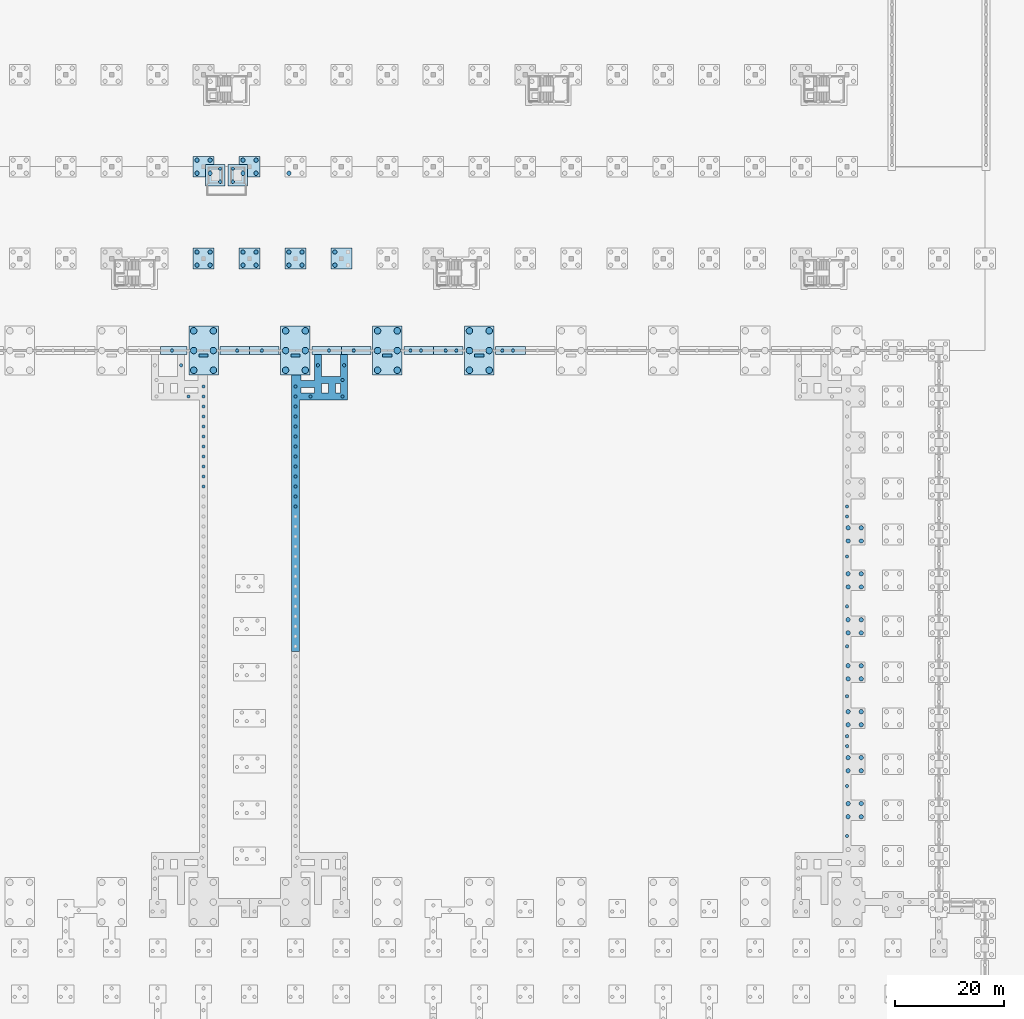
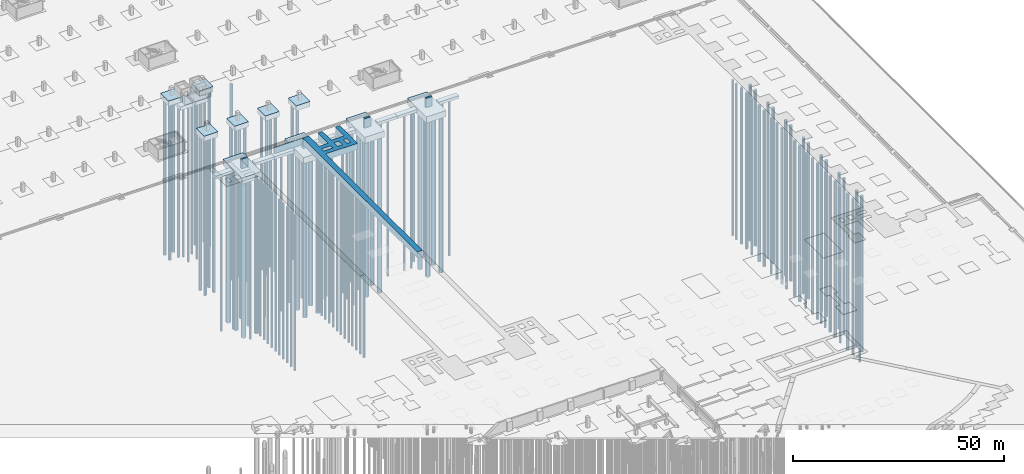
# One storey, part 16 of 67: 131 piles, 25 footings.
"""IFC4 building model written with IfcOpenShell, lengths in metres."""

from ifc_helpers import new_model, si_unit, direction, frame, origin, origin_2d, place, context, subcontext, project, spatial, polyline, circle, outline, extrude, material, material_profile, profile_set, type_object, element, save


model = new_model("IFC4")

# Units and contexts
model_context = context("Model", 3, precision=1e-05, world=origin(), true_north=direction((0.0, 1.0)))
body_context = subcontext(model_context, "Body", "Model", "MODEL_VIEW")
ifc_project = project(units=[si_unit("LENGTHUNIT", "METRE"), si_unit("AREAUNIT", "SQUARE_METRE"), si_unit("VOLUMEUNIT", "CUBIC_METRE"), si_unit("PLANEANGLEUNIT", "RADIAN"), si_unit("MASSUNIT", "GRAM", prefix="KILO")], contexts=[model_context])

# Site, building, storey
site_placement = place(None, origin())
site = spatial("IfcSite", under=ifc_project, at=site_placement, CompositionType="ELEMENT")
building_placement = place(site_placement, origin())
building = spatial("IfcBuilding", under=site, at=building_placement, Name="Rain Tree Exposition and Congress Centre", CompositionType="ELEMENT")
storey_placement = place(building_placement, frame((0.0, 0.0, -3.0)))
storey = spatial("IfcBuildingStorey", under=building, at=storey_placement, Name="B1", CompositionType="ELEMENT", Elevation=-3.0)

# Piles
ifc_material_1 = material(Name="Concrete C35/45", Category="concrete")
ifc_material_profile_1 = material_profile(ifc_material_1, circle(Radius=0.60009765625, at=origin_2d()), Name="D1200")
ifc_profile_set_1 = profile_set([ifc_material_profile_1], Name="Concrete C35/45")
pile_type_1 = type_object("IfcPileType", Name="Bored pile D1200", PredefinedType="BORED", material=ifc_profile_set_1)
for number, where, z_axis, x_axis, name in (
    (1, (124.199951171875, 198.0, -1.72509765625), (0.0, 0.0, -1.0), (1.0, 0.0, 0.0), "Bored pile 0801"),
    (2, (127.800048828125, 198.0, -1.72509765625), (0.0, 0.0, -1.0), (1.0, 0.0, 0.0), "Bored pile 0802"),
    (3, (124.199951171875, 201.60009765625, -1.72509765625), (0.0, 0.0, -1.0), (1.0, 0.0, 0.0), "Bored pile 0803"),
    (4, (127.800048828125, 201.60009765625, -1.72509765625), (0.0, 0.0, -1.0), (1.0, 0.0, 0.0), "Bored pile 0804"),
    (5, (124.199951171875, 205.199951171875, -1.72509765625), (0.0, 0.0, -1.0), (1.0, 0.0, 0.0), "Bored pile 0805"),
    (6, (127.800048828125, 205.199951171875, -1.72509765625), (0.0, 0.0, -1.0), (1.0, 0.0, 0.0), "Bored pile 0806"),
    (7, (157.800048828125, 198.0, -1.72509765625), (0.0, 0.0, -1.0), (1.0, 0.0, 0.0), "Bored pile 1013"),
    (8, (161.39990234375, 198.0, -1.72509765625), (0.0, 0.0, -1.0), (1.0, 0.0, 0.0), "Bored pile 1014"),
    (9, (157.800048828125, 201.60009765625, -1.72509765625), (0.0, 0.0, -1.0), (1.0, 0.0, 0.0), "Bored pile 1015"),
    (10, (161.39990234375, 201.60009765625, -1.72509765625), (0.0, 0.0, -1.0), (1.0, 0.0, 0.0), "Bored pile 1016"),
    (11, (157.800048828125, 205.199951171875, -1.72509765625), (0.0, 0.0, -1.0), (1.0, 0.0, 0.0), "Bored pile 1017"),
    (12, (161.39990234375, 205.199951171875, -1.72509765625), (0.0, 0.0, -1.0), (1.0, 0.0, 0.0), "Bored pile 1018"),
    (13, (141.0, 198.0, -1.72509765625), (0.0, 0.0, -1.0), (1.0, 0.0, 0.0), "Bored pile 1019"),
    (14, (144.60009765625, 198.0, -1.72509765625), (0.0, 0.0, -1.0), (1.0, 0.0, 0.0), "Bored pile 1020"),
    (15, (141.0, 201.60009765625, -1.72509765625), (0.0, 0.0, -1.0), (1.0, 0.0, 0.0), "Bored pile 1021"),
    (16, (144.60009765625, 201.60009765625, -1.72509765625), (0.0, 0.0, -1.0), (1.0, 0.0, 0.0), "Bored pile 1022"),
    (17, (141.0, 205.199951171875, -1.72509765625), (0.0, 0.0, -1.0), (1.0, 0.0, 0.0), "Bored pile 1023"),
    (18, (144.60009765625, 205.199951171875, -1.72509765625), (0.0, 0.0, -1.0), (1.0, 0.0, 0.0), "Bored pile 1024"),
    (19, (174.60009765625, 198.0, -1.72509765625), (0.0, 0.0, -1.0), (1.0, 0.0, 0.0), "Bored pile 1142"),
    (20, (178.199951171875, 198.0, -1.72509765625), (0.0, 0.0, -1.0), (1.0, 0.0, 0.0), "Bored pile 1143"),
    (21, (174.60009765625, 201.60009765625, -1.72509765625), (0.0, 0.0, -1.0), (1.0, 0.0, 0.0), "Bored pile 1144"),
    (22, (178.199951171875, 201.60009765625, -1.72509765625), (0.0, 0.0, -1.0), (1.0, 0.0, 0.0), "Bored pile 1145"),
    (23, (174.60009765625, 205.199951171875, -1.72509765625), (0.0, 0.0, -1.0), (1.0, 0.0, 0.0), "Bored pile 1146"),
    (24, (178.199951171875, 205.199951171875, -1.72509765625), (0.0, 0.0, -1.0), (1.0, 0.0, 0.0), "Bored pile 1147"),
):
    element("IfcPile", number, at=place(storey_placement, frame(where, z_axis=z_axis, x_axis=x_axis)), inside=storey, type_object=pile_type_1, Name=name, PredefinedType="BORED", context=body_context, shape_type="SweptSolid", body=[
        extrude(circle(Radius=0.60009765625, at=origin_2d()), origin(), (0.0, 0.0, 1.0), 45.074951171875),
    ])
ifc_material_2 = material(Name="Concrete C35/45", Category="concrete")
ifc_material_profile_2 = material_profile(ifc_material_2, circle(Radius=0.300048828125, at=origin_2d()), Name="D600")
ifc_profile_set_2 = profile_set([ifc_material_profile_2], Name="Concrete C35/45")
pile_type_2 = type_object("IfcPileType", Name="Bored pile D600", PredefinedType="BORED", material=ifc_profile_set_2)
for number, where, z_axis, x_axis, name in (
    (25, (126.0, 176.762939453125, 0.92578125), (0.0, 0.0, -1.0), (1.0, 0.0, 0.0), "Bored pile 1802"),
    (26, (126.0, 178.5888671875, 0.92578125), (0.0, 0.0, -1.0), (1.0, 0.0, 0.0), "Bored pile 1803"),
    (27, (126.0, 180.414794921875, 0.92578125), (0.0, 0.0, -1.0), (1.0, 0.0, 0.0), "Bored pile 1804"),
    (28, (126.0, 182.24072265625, 0.92578125), (0.0, 0.0, -1.0), (1.0, 0.0, 0.0), "Bored pile 1805"),
    (29, (126.0, 184.066650390625, 0.92578125), (0.0, 0.0, -1.0), (1.0, 0.0, 0.0), "Bored pile 1806"),
    (30, (126.0, 185.892578125, 0.92578125), (0.0, 0.0, -1.0), (1.0, 0.0, 0.0), "Bored pile 1807"),
    (31, (126.0, 187.718505859375, 0.92578125), (0.0, 0.0, -1.0), (1.0, 0.0, 0.0), "Bored pile 1808"),
    (32, (126.0, 189.54443359375, 0.92578125), (0.0, 0.0, -1.0), (1.0, 0.0, 0.0), "Bored pile 1809"),
    (33, (126.0, 191.370361328125, 0.92578125), (0.0, 0.0, -1.0), (1.0, 0.0, 0.0), "Bored pile 1810"),
    (34, (126.0, 193.1962890625, 0.92578125), (0.0, 0.0, -1.0), (1.0, 0.0, 0.0), "Bored pile 1811"),
    (35, (123.25, 193.199951171875, 0.92578125), (0.0, 0.0, -1.0), (1.0, 0.0, 0.0), "Bored pile 1812"),
    (36, (126.0, 195.022216796875, 0.92578125), (0.0, 0.0, -1.0), (1.0, 0.0, 0.0), "Bored pile 1814"),
    (37, (121.89990234375, 198.89990234375, 0.92578125), (0.0, 0.0, -1.0), (1.0, 0.0, 0.0), "Bored pile 1817"),
    (38, (146.89990234375, 198.89990234375, 0.92578125), (0.0, 0.0, -1.0), (1.0, 0.0, 0.0), "Bored pile 1818"),
    (39, (151.699951171875, 198.89990234375, 0.92578125), (0.0, 0.0, -1.0), (1.0, 0.0, 0.0), "Bored pile 1819"),
    (40, (151.39990234375, 196.199951171875, 0.92578125), (0.0, 0.0, -1.0), (1.0, 0.0, 0.0), "Bored pile 1820"),
    (41, (142.800048828125, 195.022216796875, 0.92578125), (0.0, 0.0, -1.0), (1.0, 0.0, 0.0), "Bored pile 1821"),
    (42, (145.550048828125, 193.199951171875, 0.92578125), (0.0, 0.0, -1.0), (1.0, 0.0, 0.0), "Bored pile 1822"),
    (43, (151.39990234375, 193.199951171875, 0.92578125), (0.0, 0.0, -1.0), (1.0, 0.0, 0.0), "Bored pile 1823"),
    (44, (142.800048828125, 193.1962890625, 0.92578125), (0.0, 0.0, -1.0), (1.0, 0.0, 0.0), "Bored pile 1824"),
    (45, (142.800048828125, 191.370361328125, 0.92578125), (0.0, 0.0, -1.0), (1.0, 0.0, 0.0), "Bored pile 1825"),
    (46, (142.800048828125, 189.54443359375, 0.92578125), (0.0, 0.0, -1.0), (1.0, 0.0, 0.0), "Bored pile 1826"),
    (47, (142.800048828125, 187.718505859375, 0.92578125), (0.0, 0.0, -1.0), (1.0, 0.0, 0.0), "Bored pile 1827"),
    (48, (142.800048828125, 185.892578125, 0.92578125), (0.0, 0.0, -1.0), (1.0, 0.0, 0.0), "Bored pile 1828"),
    (49, (142.800048828125, 184.066650390625, 0.92578125), (0.0, 0.0, -1.0), (1.0, 0.0, 0.0), "Bored pile 1829"),
    (50, (142.800048828125, 182.24072265625, 0.92578125), (0.0, 0.0, -1.0), (1.0, 0.0, 0.0), "Bored pile 1830"),
    (51, (142.800048828125, 180.414794921875, 0.92578125), (0.0, 0.0, -1.0), (1.0, 0.0, 0.0), "Bored pile 1831"),
    (52, (142.800048828125, 178.5888671875, 0.92578125), (0.0, 0.0, -1.0), (1.0, 0.0, 0.0), "Bored pile 1832"),
    (53, (142.800048828125, 176.762939453125, 0.92578125), (0.0, 0.0, -1.0), (1.0, 0.0, 0.0), "Bored pile 1833"),
    (54, (142.800048828125, 174.93701171875, 0.92578125), (0.0, 0.0, -1.0), (1.0, 0.0, 0.0), "Bored pile 1834"),
    (55, (142.800048828125, 173.111083984375, 0.92578125), (0.0, 0.0, -1.0), (1.0, 0.0, 0.0), "Bored pile 1835"),
    (56, (243.60009765625, 112.855712890625, 0.92578125), (0.0, 0.0, -1.0), (1.0, 0.0, 0.0), "Bored pile 2118"),
    (57, (243.60009765625, 121.985107421875, 0.92578125), (0.0, 0.0, -1.0), (1.0, 0.0, 0.0), "Bored pile 2119"),
    (58, (243.60009765625, 129.288818359375, 0.92578125), (0.0, 0.0, -1.0), (1.0, 0.0, 0.0), "Bored pile 2120"),
    (59, (243.60009765625, 131.11474609375, 0.92578125), (0.0, 0.0, -1.0), (1.0, 0.0, 0.0), "Bored pile 2121"),
    (60, (243.60009765625, 138.41845703125, 0.92578125), (0.0, 0.0, -1.0), (1.0, 0.0, 0.0), "Bored pile 2122"),
    (61, (243.60009765625, 147.548095703125, 0.92578125), (0.0, 0.0, -1.0), (1.0, 0.0, 0.0), "Bored pile 2123"),
    (62, (243.60009765625, 154.851806640625, 0.92578125), (0.0, 0.0, -1.0), (1.0, 0.0, 0.0), "Bored pile 2124"),
    (63, (243.60009765625, 163.9814453125, 0.92578125), (0.0, 0.0, -1.0), (1.0, 0.0, 0.0), "Bored pile 2125"),
    (64, (243.60009765625, 171.28515625, 0.92578125), (0.0, 0.0, -1.0), (1.0, 0.0, 0.0), "Bored pile 2126"),
    (65, (243.60009765625, 173.111083984375, 0.92578125), (0.0, 0.0, -1.0), (1.0, 0.0, 0.0), "Bored pile 2127"),
    (66, (129.050048828125, 232.449951171875, -2.52490234375), (0.0, 0.0, -1.0), (1.0, 0.0, 0.0), "Bored pile 2435"),
    (67, (129.050048828125, 234.85009765625, -2.52490234375), (0.0, 0.0, -1.0), (1.0, 0.0, 0.0), "Bored pile 2436"),
    (68, (131.35009765625, 232.449951171875, -2.52490234375), (0.0, 0.0, -1.0), (1.0, 0.0, 0.0), "Bored pile 2437"),
    (69, (131.35009765625, 234.85009765625, -2.52490234375), (0.0, 0.0, -1.0), (1.0, 0.0, 0.0), "Bored pile 2438"),
    (70, (120.260009765625, 201.60009765625, -0.72509765625), (0.0, 0.0, -1.0), (1.0, 0.0, 0.0), "Bored pile 2512"),
    (71, (132.14990234375, 201.60009765625, -0.72509765625), (0.0, 0.0, -1.0), (1.0, 0.0, 0.0), "Bored pile 2513"),
    (72, (136.64990234375, 201.60009765625, -0.72509765625), (0.0, 0.0, -1.0), (1.0, 0.0, 0.0), "Bored pile 2514"),
    (73, (148.949951171875, 201.60009765625, -0.72509765625), (0.0, 0.0, -1.0), (1.0, 0.0, 0.0), "Bored pile 2515"),
    (74, (153.449951171875, 201.60009765625, -0.72509765625), (0.0, 0.0, -1.0), (1.0, 0.0, 0.0), "Bored pile 2516"),
    (75, (163.800048828125, 201.60009765625, -0.72509765625), (0.0, 0.0, -1.0), (1.0, 0.0, 0.0), "Bored pile 2517"),
    (76, (165.75, 201.60009765625, -0.72509765625), (0.0, 0.0, -1.0), (1.0, 0.0, 0.0), "Bored pile 2518"),
    (77, (170.25, 201.60009765625, -0.72509765625), (0.0, 0.0, -1.0), (1.0, 0.0, 0.0), "Bored pile 2519"),
    (78, (172.199951171875, 201.60009765625, -0.72509765625), (0.0, 0.0, -1.0), (1.0, 0.0, 0.0), "Bored pile 2520"),
    (79, (180.60009765625, 201.60009765625, -0.72509765625), (0.0, 0.0, -1.0), (1.0, 0.0, 0.0), "Bored pile 2521"),
    (80, (182.550048828125, 201.60009765625, -0.72509765625), (0.0, 0.0, -1.0), (1.0, 0.0, 0.0), "Bored pile 2522"),
):
    element("IfcPile", number, at=place(storey_placement, frame(where, z_axis=z_axis, x_axis=x_axis)), inside=storey, type_object=pile_type_2, Name=name, PredefinedType="BORED", context=body_context, shape_type="SweptSolid", body=[
        extrude(circle(Radius=0.300048828125, at=origin_2d()), origin(), (0.0, 0.0, 1.0), 45.074951171875),
    ])
ifc_material_3 = material(Name="Concrete C35/45", Category="concrete")
ifc_material_profile_3 = material_profile(ifc_material_3, circle(Radius=0.39990234375, at=origin_2d()), Name="D800")
ifc_profile_set_3 = profile_set([ifc_material_profile_3], Name="Concrete C35/45")
pile_type_3 = type_object("IfcPileType", Name="Bored pile D800", PredefinedType="BORED", material=ifc_profile_set_3)
for number, where, z_axis, x_axis, name in (
    (81, (124.800048828125, 217.199951171875, -1.425048828125), (0.0, 0.0, -1.0), (1.0, 0.0, 0.0), "Bored pile 0827"),
    (82, (127.199951171875, 217.199951171875, -1.425048828125), (0.0, 0.0, -1.0), (1.0, 0.0, 0.0), "Bored pile 0828"),
    (83, (124.800048828125, 219.60009765625, -1.425048828125), (0.0, 0.0, -1.0), (1.0, 0.0, 0.0), "Bored pile 0829"),
    (84, (127.199951171875, 219.60009765625, -1.425048828125), (0.0, 0.0, -1.0), (1.0, 0.0, 0.0), "Bored pile 0830"),
    (85, (124.800048828125, 234.0, -1.425048828125), (0.0, 0.0, -1.0), (1.0, 0.0, 0.0), "Bored pile 0839"),
    (86, (127.199951171875, 234.0, -1.425048828125), (0.0, 0.0, -1.0), (1.0, 0.0, 0.0), "Bored pile 0840"),
    (87, (124.800048828125, 236.39990234375, -1.425048828125), (0.0, 0.0, -1.0), (1.0, 0.0, 0.0), "Bored pile 0841"),
    (88, (127.199951171875, 236.39990234375, -1.425048828125), (0.0, 0.0, -1.0), (1.0, 0.0, 0.0), "Bored pile 0842"),
    (89, (150.0, 217.199951171875, -1.425048828125), (0.0, 0.0, -1.0), (1.0, 0.0, 0.0), "Bored pile 1029"),
    (90, (150.0, 219.60009765625, -1.425048828125), (0.0, 0.0, -1.0), (1.0, 0.0, 0.0), "Bored pile 1031"),
    (91, (141.60009765625, 217.199951171875, -1.425048828125), (0.0, 0.0, -1.0), (1.0, 0.0, 0.0), "Bored pile 1033"),
    (92, (144.0, 217.199951171875, -1.425048828125), (0.0, 0.0, -1.0), (1.0, 0.0, 0.0), "Bored pile 1034"),
    (93, (141.60009765625, 219.60009765625, -1.425048828125), (0.0, 0.0, -1.0), (1.0, 0.0, 0.0), "Bored pile 1035"),
    (94, (144.0, 219.60009765625, -1.425048828125), (0.0, 0.0, -1.0), (1.0, 0.0, 0.0), "Bored pile 1036"),
    (95, (133.199951171875, 217.199951171875, -1.425048828125), (0.0, 0.0, -1.0), (1.0, 0.0, 0.0), "Bored pile 1037"),
    (96, (135.60009765625, 217.199951171875, -1.425048828125), (0.0, 0.0, -1.0), (1.0, 0.0, 0.0), "Bored pile 1038"),
    (97, (133.199951171875, 219.60009765625, -1.425048828125), (0.0, 0.0, -1.0), (1.0, 0.0, 0.0), "Bored pile 1039"),
    (98, (135.60009765625, 219.60009765625, -1.425048828125), (0.0, 0.0, -1.0), (1.0, 0.0, 0.0), "Bored pile 1040"),
    (99, (133.199951171875, 234.0, -1.425048828125), (0.0, 0.0, -1.0), (1.0, 0.0, 0.0), "Bored pile 1045"),
    (100, (135.60009765625, 234.0, -1.425048828125), (0.0, 0.0, -1.0), (1.0, 0.0, 0.0), "Bored pile 1046"),
    (101, (133.199951171875, 236.39990234375, -1.425048828125), (0.0, 0.0, -1.0), (1.0, 0.0, 0.0), "Bored pile 1047"),
    (102, (135.60009765625, 236.39990234375, -1.425048828125), (0.0, 0.0, -1.0), (1.0, 0.0, 0.0), "Bored pile 1048"),
    (103, (141.60009765625, 234.0, -1.425048828125), (0.0, 0.0, -1.0), (1.0, 0.0, 0.0), "Bored pile 1049"),
    (104, (243.800048828125, 116.39990234375, 0.92578125), (0.0, 0.0, -1.0), (1.0, 0.0, 0.0), "Bored pile 2050"),
    (105, (246.199951171875, 116.39990234375, 0.92578125), (0.0, 0.0, -1.0), (1.0, 0.0, 0.0), "Bored pile 2051"),
    (106, (243.800048828125, 118.800048828125, 0.92578125), (0.0, 0.0, -1.0), (1.0, 0.0, 0.0), "Bored pile 2052"),
    (107, (246.199951171875, 118.800048828125, 0.92578125), (0.0, 0.0, -1.0), (1.0, 0.0, 0.0), "Bored pile 2053"),
    (108, (243.800048828125, 124.800048828125, 0.92578125), (0.0, 0.0, -1.0), (1.0, 0.0, 0.0), "Bored pile 2054"),
    (109, (246.199951171875, 124.800048828125, 0.92578125), (0.0, 0.0, -1.0), (1.0, 0.0, 0.0), "Bored pile 2055"),
    (110, (243.800048828125, 127.199951171875, 0.92578125), (0.0, 0.0, -1.0), (1.0, 0.0, 0.0), "Bored pile 2056"),
    (111, (246.199951171875, 127.199951171875, 0.92578125), (0.0, 0.0, -1.0), (1.0, 0.0, 0.0), "Bored pile 2057"),
    (112, (243.800048828125, 133.199951171875, 0.92578125), (0.0, 0.0, -1.0), (1.0, 0.0, 0.0), "Bored pile 2058"),
    (113, (246.199951171875, 133.199951171875, 0.92578125), (0.0, 0.0, -1.0), (1.0, 0.0, 0.0), "Bored pile 2059"),
    (114, (243.800048828125, 135.60009765625, 0.92578125), (0.0, 0.0, -1.0), (1.0, 0.0, 0.0), "Bored pile 2060"),
    (115, (246.199951171875, 135.60009765625, 0.92578125), (0.0, 0.0, -1.0), (1.0, 0.0, 0.0), "Bored pile 2061"),
    (116, (243.800048828125, 141.60009765625, 0.92578125), (0.0, 0.0, -1.0), (1.0, 0.0, 0.0), "Bored pile 2062"),
    (117, (246.199951171875, 141.60009765625, 0.92578125), (0.0, 0.0, -1.0), (1.0, 0.0, 0.0), "Bored pile 2063"),
    (118, (243.800048828125, 144.0, 0.92578125), (0.0, 0.0, -1.0), (1.0, 0.0, 0.0), "Bored pile 2064"),
    (119, (246.199951171875, 144.0, 0.92578125), (0.0, 0.0, -1.0), (1.0, 0.0, 0.0), "Bored pile 2065"),
    (120, (243.800048828125, 150.0, 0.92578125), (0.0, 0.0, -1.0), (1.0, 0.0, 0.0), "Bored pile 2066"),
    (121, (246.199951171875, 150.0, 0.92578125), (0.0, 0.0, -1.0), (1.0, 0.0, 0.0), "Bored pile 2067"),
    (122, (243.800048828125, 152.39990234375, 0.92578125), (0.0, 0.0, -1.0), (1.0, 0.0, 0.0), "Bored pile 2068"),
    (123, (246.199951171875, 152.39990234375, 0.92578125), (0.0, 0.0, -1.0), (1.0, 0.0, 0.0), "Bored pile 2069"),
    (124, (243.800048828125, 158.39990234375, 0.92578125), (0.0, 0.0, -1.0), (1.0, 0.0, 0.0), "Bored pile 2070"),
    (125, (246.199951171875, 158.39990234375, 0.92578125), (0.0, 0.0, -1.0), (1.0, 0.0, 0.0), "Bored pile 2071"),
    (126, (243.800048828125, 160.800048828125, 0.92578125), (0.0, 0.0, -1.0), (1.0, 0.0, 0.0), "Bored pile 2072"),
    (127, (246.199951171875, 160.800048828125, 0.92578125), (0.0, 0.0, -1.0), (1.0, 0.0, 0.0), "Bored pile 2073"),
    (128, (243.800048828125, 166.800048828125, 0.92578125), (0.0, 0.0, -1.0), (1.0, 0.0, 0.0), "Bored pile 2074"),
    (129, (246.199951171875, 166.800048828125, 0.92578125), (0.0, 0.0, -1.0), (1.0, 0.0, 0.0), "Bored pile 2075"),
    (130, (243.800048828125, 169.199951171875, 0.92578125), (0.0, 0.0, -1.0), (1.0, 0.0, 0.0), "Bored pile 2076"),
    (131, (246.199951171875, 169.199951171875, 0.92578125), (0.0, 0.0, -1.0), (1.0, 0.0, 0.0), "Bored pile 2077"),
):
    element("IfcPile", number, at=place(storey_placement, frame(where, z_axis=z_axis, x_axis=x_axis)), inside=storey, type_object=pile_type_3, Name=name, PredefinedType="BORED", context=body_context, shape_type="SweptSolid", body=[
        extrude(circle(Radius=0.39990234375, at=origin_2d()), origin(), (0.0, 0.0, 1.0), 45.074951171875),
    ])

# Footings
ifc_material_4 = material(Name="Concrete C35/45", Category="concrete")
footing_type_1 = type_object("IfcFootingType", Name="Pier cap 2650 thick", PredefinedType="PILE_CAP", material=ifc_material_4)
footing_1_placement = place(storey_placement, origin())
element("IfcFooting", 132, at=footing_1_placement, inside=storey, type_object=footing_type_1, Name="Pier cap 021", PredefinedType="PILE_CAP", context=body_context, shape_type="SweptSolid", body=[
    extrude(outline(polyline([(125.14990234375, 201.0), (125.14990234375, 200.449951171875), (126.85009765625, 200.449951171875), (126.85009765625, 201.0), (125.14990234375, 201.0)])), origin(), (0.0, 0.0, 1.0), 2.64990234375),
])
footing_2_placement = place(storey_placement, origin())
element("IfcFooting", 133, at=footing_2_placement, inside=storey, type_object=footing_type_1, Name="Pier cap 022", PredefinedType="PILE_CAP", context=body_context, shape_type="SweptSolid", body=[
    extrude(outline(polyline([(141.949951171875, 201.0), (141.949951171875, 200.449951171875), (143.64990234375, 200.449951171875), (143.64990234375, 201.0), (141.949951171875, 201.0)])), origin(), (0.0, 0.0, 1.0), 2.64990234375),
])
footing_3_placement = place(storey_placement, origin())
element("IfcFooting", 134, at=footing_3_placement, inside=storey, type_object=footing_type_1, Name="Pier cap 023", PredefinedType="PILE_CAP", context=body_context, shape_type="SweptSolid", body=[
    extrude(outline(polyline([(158.75, 201.0), (158.75, 200.449951171875), (160.449951171875, 200.449951171875), (160.449951171875, 201.0), (158.75, 201.0)])), origin(), (0.0, 0.0, 1.0), 2.64990234375),
])
footing_4_placement = place(storey_placement, origin())
element("IfcFooting", 135, at=footing_4_placement, inside=storey, type_object=footing_type_1, Name="Pier cap 024", PredefinedType="PILE_CAP", context=body_context, shape_type="SweptSolid", body=[
    extrude(outline(polyline([(175.550048828125, 201.0), (175.550048828125, 200.449951171875), (177.25, 200.449951171875), (177.25, 201.0), (175.550048828125, 201.0)])), origin(), (0.0, 0.0, 1.0), 2.64990234375),
])
ifc_material_5 = material(Name="Concrete C35/45", Category="concrete")
footing_type_2 = type_object("IfcFootingType", Name="Pile cap 1100 thick", PredefinedType="PILE_CAP", material=ifc_material_5)
footing_5_placement = place(storey_placement, frame((0.0, 0.0, -2.60009765625)))
element("IfcFooting", 136, at=footing_5_placement, inside=storey, type_object=footing_type_2, Name="Pile cap 381", PredefinedType="PILE_CAP", context=body_context, shape_type="SweptSolid", body=[
    extrude(outline(polyline([(129.89990234375, 231.699951171875), (129.89990234375, 235.60009765625), (126.39990234375, 235.60009765625), (126.39990234375, 231.699951171875), (129.89990234375, 231.699951171875)])), origin(), (0.0, 0.0, 1.0), 1.10009765625),
])
footing_6_placement = place(storey_placement, frame((0.0, 0.0, -2.60009765625)))
element("IfcFooting", 137, at=footing_6_placement, inside=storey, type_object=footing_type_2, Name="Pile cap 382", PredefinedType="PILE_CAP", context=body_context, shape_type="SweptSolid", body=[
    extrude(outline(polyline([(134.0, 231.699951171875), (134.0, 235.60009765625), (130.5, 235.60009765625), (130.5, 231.699951171875), (134.0, 231.699951171875)])), origin(), (0.0, 0.0, 1.0), 1.10009765625),
])
ifc_material_6 = material(Name="Concrete C35/45", Category="concrete")
footing_type_3 = type_object("IfcFootingType", Name="Pile cap 1500 thick", PredefinedType="PILE_CAP", material=ifc_material_6)
footing_7_placement = place(storey_placement, frame((0.0, 0.0, -1.5)))
element("IfcFooting", 138, at=footing_7_placement, inside=storey, type_object=footing_type_3, Name="Pile cap 158", PredefinedType="PILE_CAP", context=body_context, shape_type="SweptSolid", body=[
    extrude(outline(polyline([(127.89990234375, 216.5), (127.89990234375, 220.300048828125), (124.10009765625, 220.300048828125), (124.10009765625, 216.5), (127.89990234375, 216.5)])), origin(), (0.0, 0.0, 1.0), 1.5),
])
footing_8_placement = place(storey_placement, frame((0.0, 0.0, -1.5)))
element("IfcFooting", 139, at=footing_8_placement, inside=storey, type_object=footing_type_3, Name="Pile cap 161", PredefinedType="PILE_CAP", context=body_context, shape_type="SweptSolid", body=[
    extrude(outline(polyline([(127.89990234375, 233.300048828125), (127.89990234375, 237.10009765625), (124.10009765625, 237.10009765625), (124.10009765625, 233.300048828125), (127.89990234375, 233.300048828125)])), origin(), (0.0, 0.0, 1.0), 1.5),
])
footing_9_placement = place(storey_placement, frame((0.0, 0.0, -1.5)))
element("IfcFooting", 140, at=footing_9_placement, inside=storey, type_object=footing_type_3, Name="Pile cap 199", PredefinedType="PILE_CAP", context=body_context, shape_type="SweptSolid", body=[
    extrude(outline(polyline([(153.10009765625, 216.5), (153.10009765625, 220.300048828125), (149.300048828125, 220.300048828125), (149.300048828125, 216.5), (153.10009765625, 216.5)])), origin(), (0.0, 0.0, 1.0), 1.5),
])
footing_10_placement = place(storey_placement, frame((0.0, 0.0, -1.5)))
element("IfcFooting", 141, at=footing_10_placement, inside=storey, type_object=footing_type_3, Name="Pile cap 200", PredefinedType="PILE_CAP", context=body_context, shape_type="SweptSolid", body=[
    extrude(outline(polyline([(144.699951171875, 216.5), (144.699951171875, 220.300048828125), (140.89990234375, 220.300048828125), (140.89990234375, 216.5), (144.699951171875, 216.5)])), origin(), (0.0, 0.0, 1.0), 1.5),
])
footing_11_placement = place(storey_placement, frame((0.0, 0.0, -1.5)))
element("IfcFooting", 142, at=footing_11_placement, inside=storey, type_object=footing_type_3, Name="Pile cap 201", PredefinedType="PILE_CAP", context=body_context, shape_type="SweptSolid", body=[
    extrude(outline(polyline([(136.300048828125, 216.5), (136.300048828125, 220.300048828125), (132.5, 220.300048828125), (132.5, 216.5), (136.300048828125, 216.5)])), origin(), (0.0, 0.0, 1.0), 1.5),
])
footing_12_placement = place(storey_placement, frame((0.0, 0.0, -1.5)))
element("IfcFooting", 143, at=footing_12_placement, inside=storey, type_object=footing_type_3, Name="Pile cap 203", PredefinedType="PILE_CAP", context=body_context, shape_type="SweptSolid", body=[
    extrude(outline(polyline([(136.300048828125, 233.300048828125), (136.300048828125, 237.10009765625), (132.5, 237.10009765625), (132.5, 233.300048828125), (136.300048828125, 233.300048828125)])), origin(), (0.0, 0.0, 1.0), 1.5),
])
ifc_material_7 = material(Name="Concrete C35/45", Category="concrete")
footing_type_4 = type_object("IfcFootingType", Name="Pile cap 1800 thick", PredefinedType="PILE_CAP", material=ifc_material_7)
footing_13_placement = place(storey_placement, frame((0.0, 0.0, -1.800048828125)))
element("IfcFooting", 144, at=footing_13_placement, inside=storey, type_object=footing_type_4, Name="Pile cap 156", PredefinedType="PILE_CAP", context=body_context, shape_type="SweptSolid", body=[
    extrude(outline(polyline([(128.699951171875, 197.10009765625), (128.699951171875, 206.10009765625), (123.300048828125, 206.10009765625), (123.300048828125, 197.10009765625), (128.699951171875, 197.10009765625)])), origin(), (0.0, 0.0, 1.0), 1.800048828125),
])
footing_14_placement = place(storey_placement, frame((0.0, 0.0, -1.800048828125)))
element("IfcFooting", 145, at=footing_14_placement, inside=storey, type_object=footing_type_4, Name="Pile cap 196", PredefinedType="PILE_CAP", context=body_context, shape_type="SweptSolid", body=[
    extrude(outline(polyline([(162.300048828125, 197.10009765625), (162.300048828125, 206.10009765625), (156.89990234375, 206.10009765625), (156.89990234375, 197.10009765625), (162.300048828125, 197.10009765625)])), origin(), (0.0, 0.0, 1.0), 1.800048828125),
])
footing_15_placement = place(storey_placement, frame((0.0, 0.0, -1.800048828125)))
element("IfcFooting", 146, at=footing_15_placement, inside=storey, type_object=footing_type_4, Name="Pile cap 197", PredefinedType="PILE_CAP", context=body_context, shape_type="SweptSolid", body=[
    extrude(outline(polyline([(145.5, 197.10009765625), (145.5, 206.10009765625), (140.10009765625, 206.10009765625), (140.10009765625, 197.10009765625), (145.5, 197.10009765625)])), origin(), (0.0, 0.0, 1.0), 1.800048828125),
])
footing_16_placement = place(storey_placement, frame((0.0, 0.0, -1.800048828125)))
element("IfcFooting", 147, at=footing_16_placement, inside=storey, type_object=footing_type_4, Name="Pile cap 227", PredefinedType="PILE_CAP", context=body_context, shape_type="SweptSolid", body=[
    extrude(outline(polyline([(179.10009765625, 197.10009765625), (179.10009765625, 206.10009765625), (173.699951171875, 206.10009765625), (173.699951171875, 197.10009765625), (179.10009765625, 197.10009765625)])), origin(), (0.0, 0.0, 1.0), 1.800048828125),
])
ifc_material_8 = material(Name="Concrete C35/45", Category="concrete")
footing_type_5 = type_object("IfcFootingType", Name="Strip footing 1800 thick", PredefinedType="STRIP_FOOTING", material=ifc_material_8)
footing_17_placement = place(storey_placement, frame((0.0, 0.0, 0.8505859375)))
element("IfcFooting", 148, at=footing_17_placement, inside=storey, type_object=footing_type_5, Name="Strip footing 054", PredefinedType="STRIP_FOOTING", context=body_context, shape_type="SweptSolid", body=[
    extrude(outline(polyline([(142.10009765625, 201.0), (134.39990234375, 201.0), (134.39990234375, 200.89990234375), (142.10009765625, 200.89990234375), (142.10009765625, 200.800048828125), (142.10009765625, 146.63525390625), (143.5, 146.63525390625), (143.5, 192.550048828125), (143.800048828125, 192.550048828125), (143.800048828125, 192.574951171875), (146.27490234375, 192.574951171875), (147.52490234375, 192.574951171875), (148.875, 192.574951171875), (150.125, 192.574951171875), (151.074951171875, 192.574951171875), (152.324951171875, 192.574951171875), (152.324951171875, 193.199951171875), (152.324951171875, 193.824951171875), (152.324951171875, 195.574951171875), (152.324951171875, 196.824951171875), (152.324951171875, 201.0), (151.074951171875, 201.0), (151.074951171875, 196.824951171875), (150.125, 196.824951171875), (148.875, 196.824951171875), (147.52490234375, 196.824951171875), (147.52490234375, 201.0), (146.27490234375, 201.0), (146.27490234375, 196.824951171875), (146.27490234375, 196.125), (143.800048828125, 196.125), (143.800048828125, 201.0), (143.5, 201.0), (143.0, 201.0), (142.5, 201.0), (142.10009765625, 201.0)]), holes=[polyline([(143.800048828125, 193.824951171875), (146.27490234375, 193.824951171875), (146.27490234375, 194.875), (143.800048828125, 194.875), (143.800048828125, 193.824951171875)]), polyline([(147.52490234375, 193.824951171875), (148.875, 193.824951171875), (148.875, 195.574951171875), (147.52490234375, 195.574951171875), (147.52490234375, 193.824951171875)]), polyline([(150.125, 195.574951171875), (150.125, 193.824951171875), (151.074951171875, 193.824951171875), (151.074951171875, 195.574951171875), (150.125, 195.574951171875)])]), origin(), (0.0, 0.0, 1.0), 1.800048828125),
])
ifc_material_9 = material(Name="Concrete C35/45", Category="concrete")
footing_type_6 = type_object("IfcFootingType", Name="Strip footing 800 thick", PredefinedType="STRIP_FOOTING", material=ifc_material_9)
footing_18_placement = place(storey_placement, frame((0.0, 0.0, -0.800048828125)))
element("IfcFooting", 149, at=footing_18_placement, inside=storey, type_object=footing_type_6, Name="Strip footing 163", PredefinedType="STRIP_FOOTING", context=body_context, shape_type="SweptSolid", body=[
    extrude(outline(polyline([(118.146728515625, 202.300048828125), (118.146728515625, 200.89990234375), (123.0, 200.89990234375), (123.0, 202.300048828125), (118.146728515625, 202.300048828125)])), origin(), (0.0, 0.0, 1.0), 0.800048828125),
])
footing_19_placement = place(storey_placement, frame((0.0, 0.0, -0.800048828125)))
element("IfcFooting", 150, at=footing_19_placement, inside=storey, type_object=footing_type_6, Name="Strip footing 164", PredefinedType="STRIP_FOOTING", context=body_context, shape_type="SweptSolid", body=[
    extrude(outline(polyline([(129.0, 200.89990234375), (134.39990234375, 200.89990234375), (134.39990234375, 202.300048828125), (129.0, 202.300048828125), (129.0, 200.89990234375)])), origin(), (0.0, 0.0, 1.0), 0.800048828125),
])
footing_20_placement = place(storey_placement, frame((0.0, 0.0, -0.800048828125)))
element("IfcFooting", 151, at=footing_20_placement, inside=storey, type_object=footing_type_6, Name="Strip footing 165", PredefinedType="STRIP_FOOTING", context=body_context, shape_type="SweptSolid", body=[
    extrude(outline(polyline([(134.39990234375, 202.300048828125), (134.39990234375, 200.89990234375), (139.800048828125, 200.89990234375), (139.800048828125, 202.300048828125), (134.39990234375, 202.300048828125)])), origin(), (0.0, 0.0, 1.0), 0.800048828125),
])
footing_21_placement = place(storey_placement, frame((0.0, 0.0, -0.800048828125)))
element("IfcFooting", 152, at=footing_21_placement, inside=storey, type_object=footing_type_6, Name="Strip footing 166", PredefinedType="STRIP_FOOTING", context=body_context, shape_type="SweptSolid", body=[
    extrude(outline(polyline([(145.800048828125, 200.89990234375), (151.199951171875, 200.89990234375), (151.199951171875, 202.300048828125), (145.800048828125, 202.300048828125), (145.800048828125, 200.89990234375)])), origin(), (0.0, 0.0, 1.0), 0.800048828125),
])
footing_22_placement = place(storey_placement, frame((0.0, 0.0, -0.800048828125)))
element("IfcFooting", 153, at=footing_22_placement, inside=storey, type_object=footing_type_6, Name="Strip footing 167", PredefinedType="STRIP_FOOTING", context=body_context, shape_type="SweptSolid", body=[
    extrude(outline(polyline([(151.199951171875, 202.300048828125), (151.199951171875, 200.89990234375), (156.60009765625, 200.89990234375), (156.60009765625, 202.300048828125), (151.199951171875, 202.300048828125)])), origin(), (0.0, 0.0, 1.0), 0.800048828125),
])
footing_23_placement = place(storey_placement, frame((0.0, 0.0, -0.800048828125)))
element("IfcFooting", 154, at=footing_23_placement, inside=storey, type_object=footing_type_6, Name="Strip footing 168", PredefinedType="STRIP_FOOTING", context=body_context, shape_type="SweptSolid", body=[
    extrude(outline(polyline([(162.60009765625, 200.89990234375), (168.0, 200.89990234375), (168.0, 202.300048828125), (162.60009765625, 202.300048828125), (162.60009765625, 200.89990234375)])), origin(), (0.0, 0.0, 1.0), 0.800048828125),
])
footing_24_placement = place(storey_placement, frame((0.0, 0.0, -0.800048828125)))
element("IfcFooting", 155, at=footing_24_placement, inside=storey, type_object=footing_type_6, Name="Strip footing 169", PredefinedType="STRIP_FOOTING", context=body_context, shape_type="SweptSolid", body=[
    extrude(outline(polyline([(168.0, 202.300048828125), (168.0, 200.89990234375), (173.39990234375, 200.89990234375), (173.39990234375, 202.300048828125), (168.0, 202.300048828125)])), origin(), (0.0, 0.0, 1.0), 0.800048828125),
])
footing_25_placement = place(storey_placement, frame((0.0, 0.0, -0.800048828125)))
element("IfcFooting", 156, at=footing_25_placement, inside=storey, type_object=footing_type_6, Name="Strip footing 170", PredefinedType="STRIP_FOOTING", context=body_context, shape_type="SweptSolid", body=[
    extrude(outline(polyline([(179.39990234375, 200.89990234375), (184.800048828125, 200.89990234375), (184.800048828125, 202.300048828125), (179.39990234375, 202.300048828125), (179.39990234375, 200.89990234375)])), origin(), (0.0, 0.0, 1.0), 0.800048828125),
])

save(model, "model.ifc")
